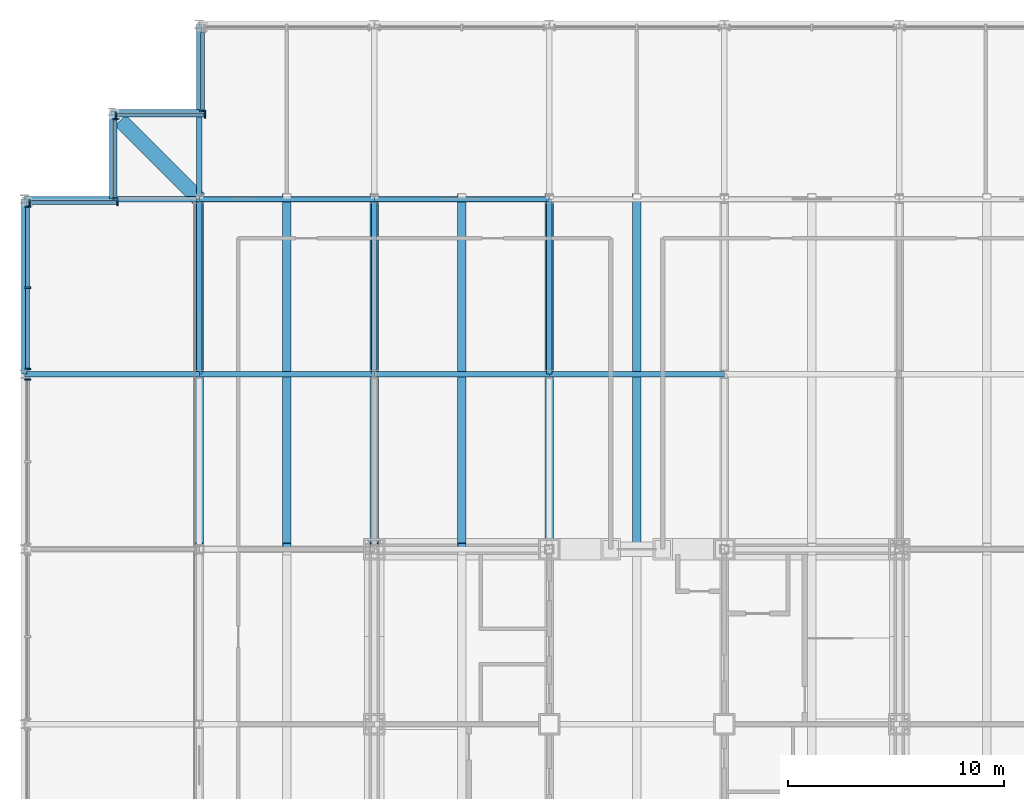
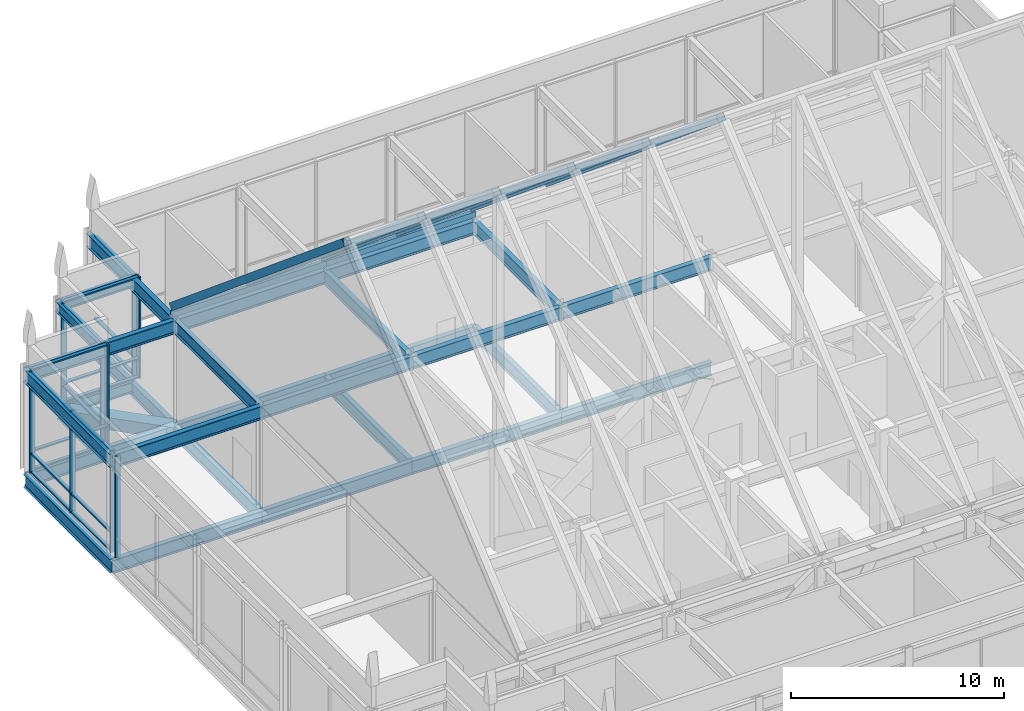
# One storey, part 10 of 22: 37 beams, 29 members, 6 elements without a shape of their own.
"""IFC4 building model written with IfcOpenShell, lengths in metres."""

from ifc_helpers import new_model, si_unit, direction, frame, origin, origin_2d, place, context, subcontext, project, spatial, rectangle, hollow_rectangle, i_section, extrude, material, material_profile, profile_set, type_object, element, aggregate, save


model = new_model("IFC4")

# Units and contexts
model_context = context("Model", 3, precision=1e-05, world=origin(), true_north=direction((0.0, 1.0)))
body_context = subcontext(model_context, "Body", "Model", "MODEL_VIEW")
ifc_project = project(units=[si_unit("LENGTHUNIT", "METRE"), si_unit("AREAUNIT", "SQUARE_METRE"), si_unit("VOLUMEUNIT", "CUBIC_METRE"), si_unit("PLANEANGLEUNIT", "RADIAN"), si_unit("MASSUNIT", "GRAM", prefix="KILO")], contexts=[model_context])

# Site, building, storey
site_placement = place(None, origin())
site = spatial("IfcSite", under=ifc_project, at=site_placement, CompositionType="ELEMENT")
building_placement = place(site_placement, origin())
building = spatial("IfcBuilding", under=site, at=building_placement, Name="Kopane Lantern Tower", CompositionType="ELEMENT")
storey_placement = place(building_placement, frame((0.0, 0.0, 303.89990234375)))
storey = spatial("IfcBuildingStorey", under=building, at=storey_placement, Name="L77", CompositionType="ELEMENT", Elevation=303.89990234375)

# Beams
ifc_material_1 = material(Name="Steel S355JR", Category="steel")
ifc_material_profile_1 = material_profile(ifc_material_1, hollow_rectangle(XDim=0.699951171875, YDim=0.699951171875, WallThickness=0.06005859375, at=origin_2d()), Name="BOX 700x700x60")
ifc_profile_set_1 = profile_set([ifc_material_profile_1], Name="Steel S355JR")
beam_type_1 = type_object("IfcBeamType", Name="CORNER TIE BEAM BOX 700x700x60", PredefinedType="BEAM", material=ifc_profile_set_1)
beam_1_placement = place(storey_placement, frame((4.447509765625, 60.3525390625, -0.559814453125), z_axis=(0.707106781187, -0.707106781187, 0.0), x_axis=(0.707106781187, 0.707106781187, 0.0)))
element("IfcBeam", 1, at=beam_1_placement, inside=storey, type_object=beam_type_1, Name="Corner Tie Beam L77", PredefinedType="BEAM", context=body_context, shape_type="SweptSolid", body=[
    extrude(hollow_rectangle(XDim=0.699951171875, YDim=0.699951171875, WallThickness=0.06005859375, at=origin_2d()), origin(), (0.0, 0.0, 1.0), 5.16552734375),
])
ifc_material_2 = material(Name="Steel S355JR", Category="steel")
ifc_material_profile_2 = material_profile(ifc_material_2, i_section(OverallWidth=0.22900390625, OverallDepth=0.6123046875, WebThickness=0.011962890625, FlangeThickness=0.01953125, FilletRadius=0.0126953125, at=origin_2d()), Name="UB 610x229x125")
ifc_profile_set_2 = profile_set([ifc_material_profile_2], Name="Steel S355JR")
beam_type_2 = type_object("IfcBeamType", Name="EDGE BEAM UB 610x229x125", PredefinedType="BEAM", material=ifc_profile_set_2)
beam_2_placement = place(storey_placement, frame((4.050048828125, 60.59619140625, -0.51611328125), z_axis=(0.0, -1.0, 0.0), x_axis=(1.0, 0.0, 0.0)))
element("IfcBeam", 2, at=beam_2_placement, inside=storey, type_object=beam_type_2, Name="Edge Beam L77", PredefinedType="BEAM", context=body_context, shape_type="SweptSolid", body=[
    extrude(i_section(OverallWidth=0.22900390625, OverallDepth=0.6123046875, WebThickness=0.011962890625, FlangeThickness=0.01953125, FilletRadius=0.0126953125, at=origin_2d()), origin(), (0.0, 0.0, 1.0), 3.896240234375),
])
beam_3_placement = place(storey_placement, frame((4.20361328125, 60.75, -0.51611328125), z_axis=(1.0, 0.0, 0.0), x_axis=(0.0, 1.0, 0.0)))
element("IfcBeam", 3, at=beam_3_placement, inside=storey, type_object=beam_type_2, Name="Edge Beam L77", PredefinedType="BEAM", context=body_context, shape_type="SweptSolid", body=[
    extrude(i_section(OverallWidth=0.22900390625, OverallDepth=0.6123046875, WebThickness=0.011962890625, FlangeThickness=0.01953125, FilletRadius=0.0126953125, at=origin_2d()), origin(), (0.0, 0.0, 1.0), 3.896484375),
])
for number, where, z_axis, x_axis, name in (
    (4, (4.050048828125, 60.75, 5.493896484375), (1.0, 0.0, 0.0), (0.0, 1.0, 0.0), "Edge Beam roof"),
    (5, (4.050048828125, 60.75, 5.493896484375), (0.0, -1.0, 0.0), (1.0, 0.0, 0.0), "Edge Beam roof"),
):
    element("IfcBeam", number, at=place(storey_placement, frame(where, z_axis=z_axis, x_axis=x_axis)), inside=storey, type_object=beam_type_2, Name=name, PredefinedType="BEAM", context=body_context, shape_type="SweptSolid", body=[
        extrude(i_section(OverallWidth=0.22900390625, OverallDepth=0.6123046875, WebThickness=0.011962890625, FlangeThickness=0.01953125, FilletRadius=0.0126953125, at=origin_2d()), origin(), (0.0, 0.0, 1.0), 4.050048828125),
    ])
ifc_material_3 = material(Name="Steel S355JR", Category="steel")
ifc_material_profile_3 = material_profile(ifc_material_3, i_section(OverallWidth=0.2666015625, OverallDepth=0.76220703125, WebThickness=0.014404296875, FlangeThickness=0.021484375, FilletRadius=0.0166015625, at=origin_2d()), Name="UB 762x267x173")
ifc_profile_set_3 = profile_set([ifc_material_profile_3], Name="Steel S355JR")
beam_type_3 = type_object("IfcBeamType", Name="GIRDER UB 762x267x173", PredefinedType="BEAM", material=ifc_profile_set_3)
beam_4_placement = place(storey_placement, frame((0.0, 48.60009765625, -0.591064453125), z_axis=(0.0, 1.0, 0.0), x_axis=(-1.0, 0.0, 0.0)))
element("IfcBeam", 6, at=beam_4_placement, inside=storey, type_object=beam_type_3, Name="Girder L77", PredefinedType="BEAM", context=body_context, shape_type="SweptSolid", body=[
    extrude(i_section(OverallWidth=0.2666015625, OverallDepth=0.76220703125, WebThickness=0.014404296875, FlangeThickness=0.021484375, FilletRadius=0.0166015625, at=origin_2d()), origin(), (0.0, 0.0, 1.0), 8.099853515625),
])
for number, where, z_axis, x_axis, name in (
    (7, (0.0, 48.60009765625, -0.591064453125), (1.0, 0.0, 0.0), (0.0, 1.0, 0.0), "Girder L77"),
    (8, (0.0, 56.699951171875, -0.591064453125), (1.0, 0.0, 0.0), (0.0, 1.0, 0.0), "Girder L77"),
):
    element("IfcBeam", number, at=place(storey_placement, frame(where, z_axis=z_axis, x_axis=x_axis)), inside=storey, type_object=beam_type_3, Name=name, PredefinedType="BEAM", context=body_context, shape_type="SweptSolid", body=[
        extrude(i_section(OverallWidth=0.2666015625, OverallDepth=0.76220703125, WebThickness=0.014404296875, FlangeThickness=0.021484375, FilletRadius=0.0166015625, at=origin_2d()), origin(), (0.0, 0.0, 1.0), 8.10009765625),
    ])
for number, where, z_axis, x_axis, name in (
    (9, (8.10009765625, 48.60009765625, -0.591064453125), (0.0, 1.0, 0.0), (-1.0, 0.0, 0.0), "Girder L77"),
    (10, (8.10009765625, 48.60009765625, -0.591064453125), (1.0, 0.0, 0.0), (0.0, 1.0, 0.0), "Girder L77"),
):
    element("IfcBeam", number, at=place(storey_placement, frame(where, z_axis=z_axis, x_axis=x_axis)), inside=storey, type_object=beam_type_3, Name=name, PredefinedType="BEAM", context=body_context, shape_type="SweptSolid", body=[
        extrude(i_section(OverallWidth=0.2666015625, OverallDepth=0.76220703125, WebThickness=0.014404296875, FlangeThickness=0.021484375, FilletRadius=0.0166015625, at=origin_2d()), origin(), (0.0, 0.0, 1.0), 8.099853515625),
    ])
beam_5_placement = place(storey_placement, frame((8.10009765625, 56.699951171875, -0.591064453125), z_axis=(0.0, 1.0, 0.0), x_axis=(-1.0, 0.0, 0.0)))
element("IfcBeam", 11, at=beam_5_placement, inside=storey, type_object=beam_type_3, Name="Girder L77", PredefinedType="BEAM", context=body_context, shape_type="SweptSolid", body=[
    extrude(i_section(OverallWidth=0.2666015625, OverallDepth=0.76220703125, WebThickness=0.014404296875, FlangeThickness=0.021484375, FilletRadius=0.0166015625, at=origin_2d()), origin(), (0.0, 0.0, 1.0), 8.10009765625),
])
for number, where, z_axis, x_axis, name in (
    (12, (8.10009765625, 56.699951171875, -0.591064453125), (1.0, 0.0, 0.0), (0.0, 1.0, 0.0), "Girder L77"),
    (13, (16.199951171875, 48.60009765625, -0.591064453125), (0.0, 1.0, 0.0), (-1.0, 0.0, 0.0), "Girder L77"),
):
    element("IfcBeam", number, at=place(storey_placement, frame(where, z_axis=z_axis, x_axis=x_axis)), inside=storey, type_object=beam_type_3, Name=name, PredefinedType="BEAM", context=body_context, shape_type="SweptSolid", body=[
        extrude(i_section(OverallWidth=0.2666015625, OverallDepth=0.76220703125, WebThickness=0.014404296875, FlangeThickness=0.021484375, FilletRadius=0.0166015625, at=origin_2d()), origin(), (0.0, 0.0, 1.0), 8.099853515625),
    ])
for number, where, z_axis, x_axis, name in (
    (14, (16.199951171875, 48.60009765625, -0.591064453125), (1.0, 0.0, 0.0), (0.0, 1.0, 0.0), "Girder L77"),
    (15, (16.199951171875, 56.699951171875, -0.591064453125), (1.0, 0.0, 0.0), (0.0, 1.0, 0.0), "Girder L77"),
):
    element("IfcBeam", number, at=place(storey_placement, frame(where, z_axis=z_axis, x_axis=x_axis)), inside=storey, type_object=beam_type_3, Name=name, PredefinedType="BEAM", context=body_context, shape_type="SweptSolid", body=[
        extrude(i_section(OverallWidth=0.2666015625, OverallDepth=0.76220703125, WebThickness=0.014404296875, FlangeThickness=0.021484375, FilletRadius=0.0166015625, at=origin_2d()), origin(), (0.0, 0.0, 1.0), 8.10009765625),
    ])
for number, where, z_axis, x_axis, name in (
    (16, (24.300048828125, 48.60009765625, -0.591064453125), (0.0, 1.0, 0.0), (-1.0, 0.0, 0.0), "Girder L77"),
    (17, (24.300048828125, 48.60009765625, -0.591064453125), (1.0, 0.0, 0.0), (0.0, 1.0, 0.0), "Girder L77"),
):
    element("IfcBeam", number, at=place(storey_placement, frame(where, z_axis=z_axis, x_axis=x_axis)), inside=storey, type_object=beam_type_3, Name=name, PredefinedType="BEAM", context=body_context, shape_type="SweptSolid", body=[
        extrude(i_section(OverallWidth=0.2666015625, OverallDepth=0.76220703125, WebThickness=0.014404296875, FlangeThickness=0.021484375, FilletRadius=0.0166015625, at=origin_2d()), origin(), (0.0, 0.0, 1.0), 8.099853515625),
    ])
ifc_material_4 = material(Name="Steel S355JR", Category="steel")
ifc_material_profile_4 = material_profile(ifc_material_4, hollow_rectangle(XDim=0.39990234375, YDim=0.39990234375, WallThickness=0.01611328125, at=origin_2d()), Name="RHS 400x400x16")
ifc_profile_set_4 = profile_set([ifc_material_profile_4], Name="Steel S355JR")
beam_type_4 = type_object("IfcBeamType", Name="LANTERN RAFTER SHS 400x400x16", PredefinedType="USERDEFINED", material=ifc_profile_set_4)
for number, where, z_axis, x_axis, name in (
    (18, (8.10009765625, 56.827880859375, 6.45361328125), (0.0, -0.768220329338, 0.640185539974), (1.0, 0.0, 0.0), "Lantern rafter N"),
    (19, (12.14990234375, 56.827880859375, 6.45361328125), (0.0, -0.768220329338, 0.640185539974), (1.0, 0.0, 0.0), "Lantern rafter N"),
    (20, (16.199951171875, 56.827880859375, 6.45361328125), (0.0, -0.768220329338, 0.640185539974), (1.0, 0.0, 0.0), "Lantern rafter N"),
    (21, (20.25, 56.827880859375, 6.45361328125), (0.0, -0.768220329338, 0.640185539974), (1.0, 0.0, 0.0), "Lantern rafter N"),
    (22, (24.300048828125, 56.827880859375, 6.45361328125), (0.0, -0.768220329338, 0.640185539974), (1.0, 0.0, 0.0), "Lantern rafter N"),
    (23, (28.35009765625, 56.827880859375, 6.45361328125), (0.0, -0.768220329338, 0.640185539974), (1.0, 0.0, 0.0), "Lantern rafter N"),
):
    element("IfcBeam", number, at=place(storey_placement, frame(where, z_axis=z_axis, x_axis=x_axis)), inside=storey, type_object=beam_type_4, Name=name, ObjectType="RAFTER", PredefinedType="USERDEFINED", context=body_context, shape_type="SweptSolid", body=[
        extrude(hollow_rectangle(XDim=0.39990234375, YDim=0.39990234375, WallThickness=0.01611328125, at=origin_2d()), origin(), (0.0, 0.0, 1.0), 21.05908203125),
    ])
ifc_material_5 = material(Name="Steel S355JR", Category="steel")
ifc_material_profile_5 = material_profile(ifc_material_5, hollow_rectangle(XDim=0.199951171875, YDim=0.300048828125, WallThickness=0.010009765625, at=origin_2d()), Name="RHS 300x200x10")
ifc_profile_set_5 = profile_set([ifc_material_profile_5], Name="Steel S355JR")
beam_type_5 = type_object("IfcBeamType", Name="LANTERN SILL BEAM RHS 300x200x10", PredefinedType="BEAM", material=ifc_profile_set_5)
beam_6_placement = place(storey_placement, frame((7.89990234375, 56.699951171875, 6.150146484375), z_axis=(1.0, 0.0, 0.0), x_axis=(0.0, 1.0, 0.0)))
element("IfcBeam", 24, at=beam_6_placement, inside=storey, type_object=beam_type_5, Name="Lantern sill beam N", PredefinedType="BEAM", context=body_context, shape_type="SweptSolid", body=[
    extrude(hollow_rectangle(XDim=0.199951171875, YDim=0.300048828125, WallThickness=0.010009765625, at=origin_2d()), origin(), (0.0, 0.0, 1.0), 8.300048828125),
])
beam_7_placement = place(storey_placement, frame((16.199951171875, 56.699951171875, 6.150146484375), z_axis=(1.0, 0.0, 0.0), x_axis=(0.0, 1.0, 0.0)))
element("IfcBeam", 25, at=beam_7_placement, inside=storey, type_object=beam_type_5, Name="Lantern sill beam N", PredefinedType="BEAM", context=body_context, shape_type="SweptSolid", body=[
    extrude(hollow_rectangle(XDim=0.199951171875, YDim=0.300048828125, WallThickness=0.010009765625, at=origin_2d()), origin(), (0.0, 0.0, 1.0), 8.10009765625),
])

# Curtain wall, member
ifc_material_6 = material(Name="Aluminium and clear glass", Category="aluminium")
curtain_wall_type = type_object("IfcCurtainWallType", Name="CURTAIN WALL CW6 LANTERN CROWN", PredefinedType="USERDEFINED", material=ifc_material_6)
curtain_wall_1_placement = place(storey_placement, origin())
curtain_wall_1 = element("IfcCurtainWall", 26, at=curtain_wall_1_placement, inside=storey, type_object=curtain_wall_type, Name="Curtain wall CW6 W L77", ObjectType="CURTAIN WALL", PredefinedType="USERDEFINED")
ifc_material_7 = material(Name="Aluminium", Category="aluminium")
ifc_material_profile_6 = material_profile(ifc_material_7, rectangle(XDim=0.080078125, YDim=0.280029296875, at=origin_2d()), Name="AL 80x280")
ifc_profile_set_6 = profile_set([ifc_material_profile_6], Name="Aluminium")
member_type_1 = type_object("IfcMemberType", Name="MULLION CW6-M 80x280", PredefinedType="MULLION", material=ifc_profile_set_6)
member_1_placement = place(storey_placement, frame((8.25, 60.7900390625, 0.0), z_axis=(0.0, 0.0, 1.0), x_axis=(0.0, -1.0, 0.0)))
member_1 = element("IfcMember", 27, at=member_1_placement, type_object=member_type_1, Name="CW6 mullion 2", PredefinedType="MULLION", context=body_context, shape_type="SweptSolid", body=[
    extrude(rectangle(XDim=0.080078125, YDim=0.280029296875, at=origin_2d()), origin(), (0.0, 0.0, 1.0), 5.800048828125),
])

# Curtain wall, members
curtain_wall_2_placement = place(storey_placement, origin())
curtain_wall_2 = element("IfcCurtainWall", 28, at=curtain_wall_2_placement, inside=storey, type_object=curtain_wall_type, Name="Curtain wall CW6 N L77", ObjectType="CURTAIN WALL", PredefinedType="USERDEFINED")
member_2_placement = place(storey_placement, frame((8.360107421875, 60.60009765625, 0.0), z_axis=(0.0, 0.0, 1.0), x_axis=(-1.0, 0.0, 0.0)))
member_2 = element("IfcMember", 29, at=member_2_placement, type_object=member_type_1, Name="CW6 mullion 1", PredefinedType="MULLION", context=body_context, shape_type="SweptSolid", body=[
    extrude(rectangle(XDim=0.080078125, YDim=0.280029296875, at=origin_2d()), origin(), (0.0, 0.0, 1.0), 5.800048828125),
])
member_3_placement = place(storey_placement, frame((4.248779296875, 60.60009765625, 0.0), z_axis=(0.0, 0.0, 1.0), x_axis=(-1.0, 0.0, 0.0)))
member_3 = element("IfcMember", 30, at=member_3_placement, type_object=member_type_1, Name="CW6 mullion 2", PredefinedType="MULLION", context=body_context, shape_type="SweptSolid", body=[
    extrude(rectangle(XDim=0.080078125, YDim=0.280029296875, at=origin_2d()), origin(), (0.0, 0.0, 1.0), 5.800048828125),
])

curtain_wall_3_placement = place(storey_placement, origin())
curtain_wall_3 = element("IfcCurtainWall", 31, at=curtain_wall_3_placement, inside=storey, type_object=curtain_wall_type, Name="Curtain wall CW6 W L77", ObjectType="CURTAIN WALL", PredefinedType="USERDEFINED")
member_4_placement = place(storey_placement, frame((4.199951171875, 60.409912109375, 0.0), z_axis=(0.0, 0.0, 1.0), x_axis=(0.0, -1.0, 0.0)))
member_4 = element("IfcMember", 32, at=member_4_placement, type_object=member_type_1, Name="CW6 mullion 1", PredefinedType="MULLION", context=body_context, shape_type="SweptSolid", body=[
    extrude(rectangle(XDim=0.080078125, YDim=0.280029296875, at=origin_2d()), origin(), (0.0, 0.0, 1.0), 5.800048828125),
])
member_5_placement = place(storey_placement, frame((4.199951171875, 56.739990234375, 0.0), z_axis=(0.0, 0.0, 1.0), x_axis=(0.0, -1.0, 0.0)))
member_5 = element("IfcMember", 33, at=member_5_placement, type_object=member_type_1, Name="CW6 mullion 2", PredefinedType="MULLION", context=body_context, shape_type="SweptSolid", body=[
    extrude(rectangle(XDim=0.080078125, YDim=0.280029296875, at=origin_2d()), origin(), (0.0, 0.0, 1.0), 5.800048828125),
])

curtain_wall_4_placement = place(storey_placement, origin())
curtain_wall_4 = element("IfcCurtainWall", 34, at=curtain_wall_4_placement, inside=storey, type_object=curtain_wall_type, Name="Curtain wall CW6 N L77", ObjectType="CURTAIN WALL", PredefinedType="USERDEFINED")
member_6_placement = place(storey_placement, frame((4.31005859375, 56.550048828125, 0.0), z_axis=(0.0, 0.0, 1.0), x_axis=(-1.0, 0.0, 0.0)))
member_6 = element("IfcMember", 35, at=member_6_placement, type_object=member_type_1, Name="CW6 mullion 1", PredefinedType="MULLION", context=body_context, shape_type="SweptSolid", body=[
    extrude(rectangle(XDim=0.080078125, YDim=0.280029296875, at=origin_2d()), origin(), (0.0, 0.0, 1.0), 5.800048828125),
])
member_7_placement = place(storey_placement, frame((0.244384765625, 56.550048828125, 0.0), z_axis=(0.0, 0.0, 1.0), x_axis=(-1.0, 0.0, 0.0)))
member_7 = element("IfcMember", 36, at=member_7_placement, type_object=member_type_1, Name="CW6 mullion 2", PredefinedType="MULLION", context=body_context, shape_type="SweptSolid", body=[
    extrude(rectangle(XDim=0.080078125, YDim=0.280029296875, at=origin_2d()), origin(), (0.0, 0.0, 1.0), 5.800048828125),
])

curtain_wall_5_placement = place(storey_placement, origin())
curtain_wall_5 = element("IfcCurtainWall", 37, at=curtain_wall_5_placement, inside=storey, type_object=curtain_wall_type, Name="Curtain wall CW6 W L77", ObjectType="CURTAIN WALL", PredefinedType="USERDEFINED")
member_8_placement = place(storey_placement, frame((0.14990234375, 56.360107421875, 0.0), z_axis=(0.0, 0.0, 1.0), x_axis=(0.0, -1.0, 0.0)))
member_8 = element("IfcMember", 38, at=member_8_placement, type_object=member_type_1, Name="CW6 mullion 1", PredefinedType="MULLION", context=body_context, shape_type="SweptSolid", body=[
    extrude(rectangle(XDim=0.080078125, YDim=0.280029296875, at=origin_2d()), origin(), (0.0, 0.0, 1.0), 5.800048828125),
])
member_9_placement = place(storey_placement, frame((0.14990234375, 52.600830078125, 0.0), z_axis=(0.0, 0.0, 1.0), x_axis=(0.0, -1.0, 0.0)))
member_9 = element("IfcMember", 39, at=member_9_placement, type_object=member_type_1, Name="CW6 mullion 2", PredefinedType="MULLION", context=body_context, shape_type="SweptSolid", body=[
    extrude(rectangle(XDim=0.080078125, YDim=0.280029296875, at=origin_2d()), origin(), (0.0, 0.0, 1.0), 5.800048828125),
])
member_10_placement = place(storey_placement, frame((0.14990234375, 48.841796875, 0.0), z_axis=(0.0, 0.0, 1.0), x_axis=(0.0, -1.0, 0.0)))
member_10 = element("IfcMember", 40, at=member_10_placement, type_object=member_type_1, Name="CW6 mullion 3", PredefinedType="MULLION", context=body_context, shape_type="SweptSolid", body=[
    extrude(rectangle(XDim=0.080078125, YDim=0.280029296875, at=origin_2d()), origin(), (0.0, 0.0, 1.0), 5.800048828125),
])

# Curtain wall, member
curtain_wall_6_placement = place(storey_placement, origin())
curtain_wall_6 = element("IfcCurtainWall", 41, at=curtain_wall_6_placement, inside=storey, type_object=curtain_wall_type, Name="Curtain wall CW6 W L77", ObjectType="CURTAIN WALL", PredefinedType="USERDEFINED")
member_11_placement = place(storey_placement, frame((0.14990234375, 48.358154296875, 0.0), z_axis=(0.0, 0.0, 1.0), x_axis=(0.0, -1.0, 0.0)))
member_11 = element("IfcMember", 42, at=member_11_placement, type_object=member_type_1, Name="CW6 mullion 1", PredefinedType="MULLION", context=body_context, shape_type="SweptSolid", body=[
    extrude(rectangle(XDim=0.080078125, YDim=0.280029296875, at=origin_2d()), origin(), (0.0, 0.0, 1.0), 5.800048828125),
])
aggregate(curtain_wall_6, [member_11])

# Beams
ifc_material_8 = material(Name="Steel S355JR", Category="steel")
ifc_material_profile_7 = material_profile(ifc_material_8, i_section(OverallWidth=0.2666015625, OverallDepth=0.76220703125, WebThickness=0.014404296875, FlangeThickness=0.021484375, FilletRadius=0.0166015625, at=origin_2d()), Name="UB 762x267x173")
ifc_profile_set_7 = profile_set([ifc_material_profile_7], Name="Steel S355JR")
beam_type_6 = type_object("IfcBeamType", Name="ROOF GIRDER UB 762x267x173", PredefinedType="BEAM", material=ifc_profile_set_7)
for number, where, z_axis, x_axis, name in (
    (43, (0.0, 48.60009765625, 5.4189453125), (0.0, 1.0, 0.0), (-1.0, 0.0, 0.0), "Roof Girder roof"),
    (44, (8.10009765625, 48.60009765625, 5.4189453125), (0.0, 1.0, 0.0), (-1.0, 0.0, 0.0), "Roof Girder roof"),
):
    element("IfcBeam", number, at=place(storey_placement, frame(where, z_axis=z_axis, x_axis=x_axis)), inside=storey, type_object=beam_type_6, Name=name, PredefinedType="BEAM", context=body_context, shape_type="SweptSolid", body=[
        extrude(i_section(OverallWidth=0.2666015625, OverallDepth=0.76220703125, WebThickness=0.014404296875, FlangeThickness=0.021484375, FilletRadius=0.0166015625, at=origin_2d()), origin(), (0.0, 0.0, 1.0), 8.099853515625),
    ])
beam_8_placement = place(storey_placement, frame((8.10009765625, 56.699951171875, 5.4189453125), z_axis=(0.0, 1.0, 0.0), x_axis=(-1.0, 0.0, 0.0)))
element("IfcBeam", 45, at=beam_8_placement, inside=storey, type_object=beam_type_6, Name="Roof Girder roof", PredefinedType="BEAM", context=body_context, shape_type="SweptSolid", body=[
    extrude(i_section(OverallWidth=0.2666015625, OverallDepth=0.76220703125, WebThickness=0.014404296875, FlangeThickness=0.021484375, FilletRadius=0.0166015625, at=origin_2d()), origin(), (0.0, 0.0, 1.0), 8.10009765625),
])
for number, where, z_axis, x_axis, name in (
    (46, (16.199951171875, 48.60009765625, 5.4189453125), (0.0, 1.0, 0.0), (-1.0, 0.0, 0.0), "Roof Girder roof"),
    (47, (24.300048828125, 48.60009765625, 5.4189453125), (0.0, 1.0, 0.0), (-1.0, 0.0, 0.0), "Roof Girder roof"),
):
    element("IfcBeam", number, at=place(storey_placement, frame(where, z_axis=z_axis, x_axis=x_axis)), inside=storey, type_object=beam_type_6, Name=name, PredefinedType="BEAM", context=body_context, shape_type="SweptSolid", body=[
        extrude(i_section(OverallWidth=0.2666015625, OverallDepth=0.76220703125, WebThickness=0.014404296875, FlangeThickness=0.021484375, FilletRadius=0.0166015625, at=origin_2d()), origin(), (0.0, 0.0, 1.0), 8.099853515625),
    ])
beam_9_placement = place(storey_placement, frame((0.0, 48.60009765625, 5.4189453125), z_axis=(1.0, 0.0, 0.0), x_axis=(0.0, 1.0, 0.0)))
element("IfcBeam", 48, at=beam_9_placement, inside=storey, type_object=beam_type_6, Name="Roof Girder roof", PredefinedType="BEAM", context=body_context, shape_type="SweptSolid", body=[
    extrude(i_section(OverallWidth=0.2666015625, OverallDepth=0.76220703125, WebThickness=0.014404296875, FlangeThickness=0.021484375, FilletRadius=0.0166015625, at=origin_2d()), origin(), (0.0, 0.0, 1.0), 8.10009765625),
])
beam_10_placement = place(storey_placement, frame((8.10009765625, 48.60009765625, 5.4189453125), z_axis=(1.0, 0.0, 0.0), x_axis=(0.0, 1.0, 0.0)))
element("IfcBeam", 49, at=beam_10_placement, inside=storey, type_object=beam_type_6, Name="Roof Girder roof", PredefinedType="BEAM", context=body_context, shape_type="SweptSolid", body=[
    extrude(i_section(OverallWidth=0.2666015625, OverallDepth=0.76220703125, WebThickness=0.014404296875, FlangeThickness=0.021484375, FilletRadius=0.0166015625, at=origin_2d()), origin(), (0.0, 0.0, 1.0), 8.099853515625),
])
beam_11_placement = place(storey_placement, frame((16.199951171875, 48.60009765625, 5.4189453125), z_axis=(1.0, 0.0, 0.0), x_axis=(0.0, 1.0, 0.0)))
element("IfcBeam", 50, at=beam_11_placement, inside=storey, type_object=beam_type_6, Name="Roof Girder roof", PredefinedType="BEAM", context=body_context, shape_type="SweptSolid", body=[
    extrude(i_section(OverallWidth=0.2666015625, OverallDepth=0.76220703125, WebThickness=0.014404296875, FlangeThickness=0.021484375, FilletRadius=0.0166015625, at=origin_2d()), origin(), (0.0, 0.0, 1.0), 8.10009765625),
])
beam_12_placement = place(storey_placement, frame((24.300048828125, 48.60009765625, 5.4189453125), z_axis=(1.0, 0.0, 0.0), x_axis=(0.0, 1.0, 0.0)))
element("IfcBeam", 51, at=beam_12_placement, inside=storey, type_object=beam_type_6, Name="Roof Girder roof", PredefinedType="BEAM", context=body_context, shape_type="SweptSolid", body=[
    extrude(i_section(OverallWidth=0.2666015625, OverallDepth=0.76220703125, WebThickness=0.014404296875, FlangeThickness=0.021484375, FilletRadius=0.0166015625, at=origin_2d()), origin(), (0.0, 0.0, 1.0), 8.099853515625),
])
beam_13_placement = place(storey_placement, frame((0.0, 56.699951171875, 5.4189453125), z_axis=(1.0, 0.0, 0.0), x_axis=(0.0, 1.0, 0.0)))
element("IfcBeam", 52, at=beam_13_placement, inside=storey, type_object=beam_type_6, Name="Roof Girder roof", PredefinedType="BEAM", context=body_context, shape_type="SweptSolid", body=[
    extrude(i_section(OverallWidth=0.2666015625, OverallDepth=0.76220703125, WebThickness=0.014404296875, FlangeThickness=0.021484375, FilletRadius=0.0166015625, at=origin_2d()), origin(), (0.0, 0.0, 1.0), 8.10009765625),
])
beam_14_placement = place(storey_placement, frame((8.10009765625, 56.699951171875, 5.4189453125), z_axis=(1.0, 0.0, 0.0), x_axis=(0.0, 1.0, 0.0)))
element("IfcBeam", 53, at=beam_14_placement, inside=storey, type_object=beam_type_6, Name="Roof Girder roof", PredefinedType="BEAM", context=body_context, shape_type="SweptSolid", body=[
    extrude(i_section(OverallWidth=0.2666015625, OverallDepth=0.76220703125, WebThickness=0.014404296875, FlangeThickness=0.021484375, FilletRadius=0.0166015625, at=origin_2d()), origin(), (0.0, 0.0, 1.0), 8.099853515625),
])
beam_15_placement = place(storey_placement, frame((16.199951171875, 56.699951171875, 5.4189453125), z_axis=(1.0, 0.0, 0.0), x_axis=(0.0, 1.0, 0.0)))
element("IfcBeam", 54, at=beam_15_placement, inside=storey, type_object=beam_type_6, Name="Roof Girder roof", PredefinedType="BEAM", context=body_context, shape_type="SweptSolid", body=[
    extrude(i_section(OverallWidth=0.2666015625, OverallDepth=0.76220703125, WebThickness=0.014404296875, FlangeThickness=0.021484375, FilletRadius=0.0166015625, at=origin_2d()), origin(), (0.0, 0.0, 1.0), 8.10009765625),
])

# Member
ifc_material_9 = material(Name="Aluminium", Category="aluminium")
ifc_material_profile_8 = material_profile(ifc_material_9, rectangle(XDim=0.18994140625, YDim=0.080078125, at=origin_2d()), Name="AL 190x80")
ifc_profile_set_8 = profile_set([ifc_material_profile_8], Name="Aluminium")
member_type_2 = type_object("IfcMemberType", Name="TRANSOM CW6-T 80x190", PredefinedType="USERDEFINED", material=ifc_profile_set_8)
member_12_placement = place(storey_placement, frame((8.25, 64.419921875, 0.0400390625), z_axis=(0.0, -1.0, 0.0), x_axis=(1.0, 0.0, 0.0)))
member_12 = element("IfcMember", 55, at=member_12_placement, type_object=member_type_2, Name="CW6 transom 1.1", ObjectType="TRANSOM", PredefinedType="USERDEFINED", context=body_context, shape_type="SweptSolid", body=[
    extrude(rectangle(XDim=0.18994140625, YDim=0.080078125, at=origin_2d()), origin(), (0.0, 0.0, 1.0), 3.58984375),
])

member_13_placement = place(storey_placement, frame((8.25, 64.419921875, 1.10009765625), z_axis=(0.0, -1.0, 0.0), x_axis=(1.0, 0.0, 0.0)))
member_13 = element("IfcMember", 56, at=member_13_placement, type_object=member_type_2, Name="CW6 transom 1.2", ObjectType="TRANSOM", PredefinedType="USERDEFINED", context=body_context, shape_type="SweptSolid", body=[
    extrude(rectangle(XDim=0.18994140625, YDim=0.080078125, at=origin_2d()), origin(), (0.0, 0.0, 1.0), 3.58984375),
])

member_14_placement = place(storey_placement, frame((8.25, 64.419921875, 5.760009765625), z_axis=(0.0, -1.0, 0.0), x_axis=(1.0, 0.0, 0.0)))
member_14 = element("IfcMember", 57, at=member_14_placement, type_object=member_type_2, Name="CW6 transom 1.3", ObjectType="TRANSOM", PredefinedType="USERDEFINED", context=body_context, shape_type="SweptSolid", body=[
    extrude(rectangle(XDim=0.18994140625, YDim=0.080078125, at=origin_2d()), origin(), (0.0, 0.0, 1.0), 3.58984375),
])

aggregate(curtain_wall_1, [member_1, member_12, member_13, member_14])

member_15_placement = place(storey_placement, frame((8.320068359375, 60.60009765625, 0.0400390625), z_axis=(-1.0, 0.0, 0.0), x_axis=(0.0, -1.0, 0.0)))
member_15 = element("IfcMember", 58, at=member_15_placement, type_object=member_type_2, Name="CW6 transom 1.1", ObjectType="TRANSOM", PredefinedType="USERDEFINED", context=body_context, shape_type="SweptSolid", body=[
    extrude(rectangle(XDim=0.18994140625, YDim=0.080078125, at=origin_2d()), origin(), (0.0, 0.0, 1.0), 4.03125),
])

member_16_placement = place(storey_placement, frame((8.320068359375, 60.60009765625, 1.10009765625), z_axis=(-1.0, 0.0, 0.0), x_axis=(0.0, -1.0, 0.0)))
member_16 = element("IfcMember", 59, at=member_16_placement, type_object=member_type_2, Name="CW6 transom 1.2", ObjectType="TRANSOM", PredefinedType="USERDEFINED", context=body_context, shape_type="SweptSolid", body=[
    extrude(rectangle(XDim=0.18994140625, YDim=0.080078125, at=origin_2d()), origin(), (0.0, 0.0, 1.0), 4.03125),
])

member_17_placement = place(storey_placement, frame((8.320068359375, 60.60009765625, 5.760009765625), z_axis=(-1.0, 0.0, 0.0), x_axis=(0.0, -1.0, 0.0)))
member_17 = element("IfcMember", 60, at=member_17_placement, type_object=member_type_2, Name="CW6 transom 1.3", ObjectType="TRANSOM", PredefinedType="USERDEFINED", context=body_context, shape_type="SweptSolid", body=[
    extrude(rectangle(XDim=0.18994140625, YDim=0.080078125, at=origin_2d()), origin(), (0.0, 0.0, 1.0), 4.03125),
])

aggregate(curtain_wall_2, [member_2, member_3, member_15, member_16, member_17])

member_18_placement = place(storey_placement, frame((4.199951171875, 60.3701171875, 0.0400390625), z_axis=(0.0, -1.0, 0.0), x_axis=(1.0, 0.0, 0.0)))
member_18 = element("IfcMember", 61, at=member_18_placement, type_object=member_type_2, Name="CW6 transom 1.1", ObjectType="TRANSOM", PredefinedType="USERDEFINED", context=body_context, shape_type="SweptSolid", body=[
    extrude(rectangle(XDim=0.18994140625, YDim=0.080078125, at=origin_2d()), origin(), (0.0, 0.0, 1.0), 3.590087890625),
])

member_19_placement = place(storey_placement, frame((4.199951171875, 60.3701171875, 1.10009765625), z_axis=(0.0, -1.0, 0.0), x_axis=(1.0, 0.0, 0.0)))
member_19 = element("IfcMember", 62, at=member_19_placement, type_object=member_type_2, Name="CW6 transom 1.2", ObjectType="TRANSOM", PredefinedType="USERDEFINED", context=body_context, shape_type="SweptSolid", body=[
    extrude(rectangle(XDim=0.18994140625, YDim=0.080078125, at=origin_2d()), origin(), (0.0, 0.0, 1.0), 3.590087890625),
])

member_20_placement = place(storey_placement, frame((4.199951171875, 60.3701171875, 5.760009765625), z_axis=(0.0, -1.0, 0.0), x_axis=(1.0, 0.0, 0.0)))
member_20 = element("IfcMember", 63, at=member_20_placement, type_object=member_type_2, Name="CW6 transom 1.3", ObjectType="TRANSOM", PredefinedType="USERDEFINED", context=body_context, shape_type="SweptSolid", body=[
    extrude(rectangle(XDim=0.18994140625, YDim=0.080078125, at=origin_2d()), origin(), (0.0, 0.0, 1.0), 3.590087890625),
])

aggregate(curtain_wall_3, [member_4, member_5, member_18, member_19, member_20])

member_21_placement = place(storey_placement, frame((4.27001953125, 56.550048828125, 0.0400390625), z_axis=(-1.0, 0.0, 0.0), x_axis=(0.0, -1.0, 0.0)))
member_21 = element("IfcMember", 64, at=member_21_placement, type_object=member_type_2, Name="CW6 transom 1.1", ObjectType="TRANSOM", PredefinedType="USERDEFINED", context=body_context, shape_type="SweptSolid", body=[
    extrude(rectangle(XDim=0.18994140625, YDim=0.080078125, at=origin_2d()), origin(), (0.0, 0.0, 1.0), 3.985595703125),
])

member_22_placement = place(storey_placement, frame((4.27001953125, 56.550048828125, 1.10009765625), z_axis=(-1.0, 0.0, 0.0), x_axis=(0.0, -1.0, 0.0)))
member_22 = element("IfcMember", 65, at=member_22_placement, type_object=member_type_2, Name="CW6 transom 1.2", ObjectType="TRANSOM", PredefinedType="USERDEFINED", context=body_context, shape_type="SweptSolid", body=[
    extrude(rectangle(XDim=0.18994140625, YDim=0.080078125, at=origin_2d()), origin(), (0.0, 0.0, 1.0), 3.985595703125),
])

member_23_placement = place(storey_placement, frame((4.27001953125, 56.550048828125, 5.760009765625), z_axis=(-1.0, 0.0, 0.0), x_axis=(0.0, -1.0, 0.0)))
member_23 = element("IfcMember", 66, at=member_23_placement, type_object=member_type_2, Name="CW6 transom 1.3", ObjectType="TRANSOM", PredefinedType="USERDEFINED", context=body_context, shape_type="SweptSolid", body=[
    extrude(rectangle(XDim=0.18994140625, YDim=0.080078125, at=origin_2d()), origin(), (0.0, 0.0, 1.0), 3.985595703125),
])

aggregate(curtain_wall_4, [member_6, member_7, member_21, member_22, member_23])

member_24_placement = place(storey_placement, frame((0.14990234375, 56.320068359375, 0.0400390625), z_axis=(0.0, -1.0, 0.0), x_axis=(1.0, 0.0, 0.0)))
member_24 = element("IfcMember", 67, at=member_24_placement, type_object=member_type_2, Name="CW6 transom 1.1", ObjectType="TRANSOM", PredefinedType="USERDEFINED", context=body_context, shape_type="SweptSolid", body=[
    extrude(rectangle(XDim=0.18994140625, YDim=0.080078125, at=origin_2d()), origin(), (0.0, 0.0, 1.0), 3.67919921875),
])

member_25_placement = place(storey_placement, frame((0.14990234375, 56.320068359375, 1.10009765625), z_axis=(0.0, -1.0, 0.0), x_axis=(1.0, 0.0, 0.0)))
member_25 = element("IfcMember", 68, at=member_25_placement, type_object=member_type_2, Name="CW6 transom 1.2", ObjectType="TRANSOM", PredefinedType="USERDEFINED", context=body_context, shape_type="SweptSolid", body=[
    extrude(rectangle(XDim=0.18994140625, YDim=0.080078125, at=origin_2d()), origin(), (0.0, 0.0, 1.0), 3.67919921875),
])

member_26_placement = place(storey_placement, frame((0.14990234375, 56.320068359375, 5.760009765625), z_axis=(0.0, -1.0, 0.0), x_axis=(1.0, 0.0, 0.0)))
member_26 = element("IfcMember", 69, at=member_26_placement, type_object=member_type_2, Name="CW6 transom 1.3", ObjectType="TRANSOM", PredefinedType="USERDEFINED", context=body_context, shape_type="SweptSolid", body=[
    extrude(rectangle(XDim=0.18994140625, YDim=0.080078125, at=origin_2d()), origin(), (0.0, 0.0, 1.0), 3.67919921875),
])

member_27_placement = place(storey_placement, frame((0.14990234375, 52.560791015625, 0.0400390625), z_axis=(0.0, -1.0, 0.0), x_axis=(1.0, 0.0, 0.0)))
member_27 = element("IfcMember", 70, at=member_27_placement, type_object=member_type_2, Name="CW6 transom 2.1", ObjectType="TRANSOM", PredefinedType="USERDEFINED", context=body_context, shape_type="SweptSolid", body=[
    extrude(rectangle(XDim=0.18994140625, YDim=0.080078125, at=origin_2d()), origin(), (0.0, 0.0, 1.0), 3.678955078125),
])

member_28_placement = place(storey_placement, frame((0.14990234375, 52.560791015625, 1.10009765625), z_axis=(0.0, -1.0, 0.0), x_axis=(1.0, 0.0, 0.0)))
member_28 = element("IfcMember", 71, at=member_28_placement, type_object=member_type_2, Name="CW6 transom 2.2", ObjectType="TRANSOM", PredefinedType="USERDEFINED", context=body_context, shape_type="SweptSolid", body=[
    extrude(rectangle(XDim=0.18994140625, YDim=0.080078125, at=origin_2d()), origin(), (0.0, 0.0, 1.0), 3.678955078125),
])

member_29_placement = place(storey_placement, frame((0.14990234375, 52.560791015625, 5.760009765625), z_axis=(0.0, -1.0, 0.0), x_axis=(1.0, 0.0, 0.0)))
member_29 = element("IfcMember", 72, at=member_29_placement, type_object=member_type_2, Name="CW6 transom 2.3", ObjectType="TRANSOM", PredefinedType="USERDEFINED", context=body_context, shape_type="SweptSolid", body=[
    extrude(rectangle(XDim=0.18994140625, YDim=0.080078125, at=origin_2d()), origin(), (0.0, 0.0, 1.0), 3.678955078125),
])

aggregate(curtain_wall_5, [member_8, member_9, member_10, member_24, member_25, member_26, member_27, member_28, member_29])

save(model, "model.ifc")
